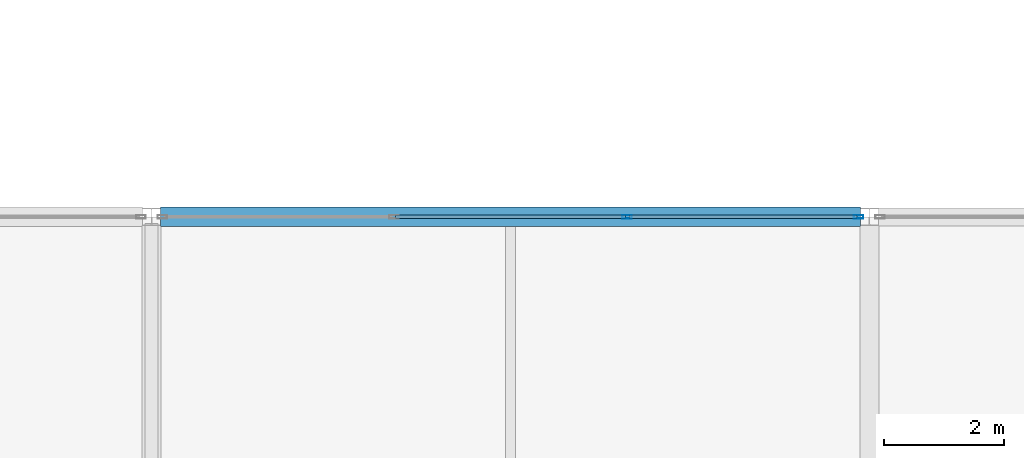
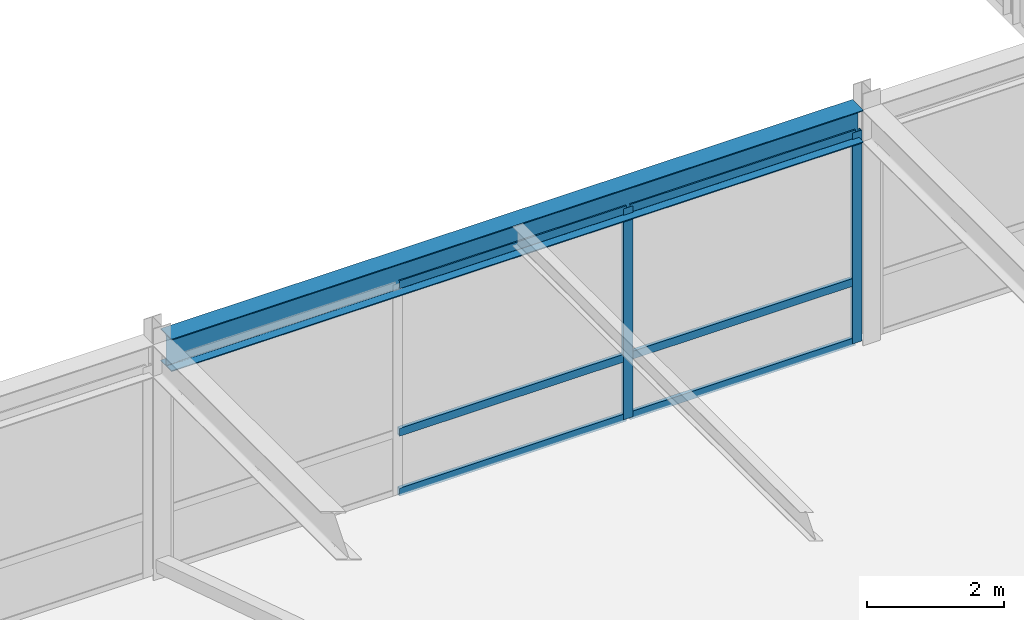
# One storey, part 80 of 108: 8 members, 1 beam, 1 element without a shape of its own.
"""IFC4 building model written with IfcOpenShell, lengths in metres."""

from ifc_helpers import new_model, si_unit, direction, frame, origin, origin_2d, place, context, subcontext, project, spatial, hollow_rectangle, i_section, extrude, material, layer, layer_set, material_profile, profile_set, type_object, element, aggregate, save


model = new_model("IFC4")

# Units and contexts
model_context = context("Model", 3, precision=1e-05, world=origin(), true_north=direction((0.0, 1.0)))
body_context = subcontext(model_context, "Body", "Model", "MODEL_VIEW")
ifc_project = project(units=[si_unit("LENGTHUNIT", "METRE"), si_unit("AREAUNIT", "SQUARE_METRE"), si_unit("VOLUMEUNIT", "CUBIC_METRE"), si_unit("PLANEANGLEUNIT", "RADIAN"), si_unit("MASSUNIT", "GRAM", prefix="KILO")], contexts=[model_context])

# Site, building, storey
site_placement = place(None, origin())
site = spatial("IfcSite", under=ifc_project, at=site_placement, CompositionType="ELEMENT")
building_placement = place(site_placement, origin())
building = spatial("IfcBuilding", under=site, at=building_placement, Name="Zlatovratsky Civic Hall", CompositionType="ELEMENT")
storey_placement = place(building_placement, frame((0.0, 0.0, 12.0)))
storey = spatial("IfcBuildingStorey", under=building, at=storey_placement, Name="L03", CompositionType="ELEMENT", Elevation=12.0)

# Beam
ifc_material_1 = material(Name="Steel S355", Category="steel")
ifc_material_profile_1 = material_profile(ifc_material_1, i_section(OverallWidth=0.320068359375, OverallDepth=0.58203125, WebThickness=0.011962890625, FlangeThickness=0.01708984375, FilletRadius=0.02392578125, at=origin_2d()), Name="60Sh1")
ifc_profile_set_1 = profile_set([ifc_material_profile_1], Name="Steel S355")
beam_type = type_object("IfcBeamType", Name="Beam_PodiumGirder_60Sh1", PredefinedType="BEAM", material=ifc_profile_set_1)
beam_placement = place(storey_placement, frame((132.1494140625, 30.0, 3.928955078125), z_axis=(1.0, 0.0, 0.0), x_axis=(0.0, 1.0, 0.0)))
element("IfcBeam", 1, at=beam_placement, inside=storey, type_object=beam_type, Name="BM-2539", PredefinedType="BEAM", context=body_context, shape_type="SweptSolid", body=[
    extrude(i_section(OverallWidth=0.320068359375, OverallDepth=0.58203125, WebThickness=0.011962890625, FlangeThickness=0.01708984375, FilletRadius=0.02392578125, at=origin_2d()), origin(), (0.0, 0.0, 1.0), 11.701171875),
])

# Curtain wall, members
ifc_material_2 = material(Name="Anodised bronze aluminium", Category="aluminium")
ifc_layer = layer(ifc_material_2, 0.159912109375)
ifc_layer_set = layer_set([ifc_layer], Name="Anodised bronze aluminium")
curtain_wall_type = type_object("IfcCurtainWallType", Name="CurtainWall_Bronze_11700x3770_11", PredefinedType="NOTDEFINED", material=ifc_layer_set)
curtain_wall_placement = place(storey_placement, origin())
curtain_wall = element("IfcCurtainWall", 2, at=curtain_wall_placement, inside=storey, type_object=curtain_wall_type, Name="CW-070", PredefinedType="NOTDEFINED")
ifc_material_profile_2 = material_profile(ifc_material_2, hollow_rectangle(XDim=0.06005859375, YDim=0.159912109375, WallThickness=0.00390625, at=origin_2d()), Name="ALU 60x160x4")
ifc_profile_set_2 = profile_set([ifc_material_profile_2], Name="Anodised bronze aluminium")
member_type_1 = type_object("IfcMemberType", Name="CW_Mullion_60x160", PredefinedType="MULLION", material=ifc_profile_set_2)
member_1_placement = place(storey_placement, frame((139.9501953125, 30.0, 0.0), z_axis=(0.0, 0.0, 1.0), x_axis=(0.0, 1.0, 0.0)))
member_1 = element("IfcMember", 3, at=member_1_placement, type_object=member_type_1, Name="CW-11 mullion 3", PredefinedType="MULLION", context=body_context, shape_type="SweptSolid", body=[
    extrude(hollow_rectangle(XDim=0.06005859375, YDim=0.159912109375, WallThickness=0.00390625, at=origin_2d()), origin(), (0.0, 0.0, 1.0), 3.77001953125),
])
member_2_placement = place(storey_placement, frame((143.820556640625, 30.0, 0.0), z_axis=(0.0, 0.0, 1.0), x_axis=(0.0, 1.0, 0.0)))
member_2 = element("IfcMember", 4, at=member_2_placement, type_object=member_type_1, Name="CW-11 mullion 4", PredefinedType="MULLION", context=body_context, shape_type="SweptSolid", body=[
    extrude(hollow_rectangle(XDim=0.06005859375, YDim=0.159912109375, WallThickness=0.00390625, at=origin_2d()), origin(), (0.0, 0.0, 1.0), 3.77001953125),
])
ifc_material_profile_3 = material_profile(ifc_material_2, hollow_rectangle(XDim=0.06005859375, YDim=0.139892578125, WallThickness=0.00390625, at=origin_2d()), Name="ALU 60x140x4")
ifc_profile_set_3 = profile_set([ifc_material_profile_3], Name="Anodised bronze aluminium")
member_type_2 = type_object("IfcMemberType", Name="CW_Transom_60x140", PredefinedType="USERDEFINED", material=ifc_profile_set_3)
member_3_placement = place(storey_placement, frame((136.079833984375, 30.0, 0.030029296875), z_axis=(1.0, 0.0, 0.0), x_axis=(0.0, 1.0, 0.0)))
member_3 = element("IfcMember", 5, at=member_3_placement, type_object=member_type_2, Name="CW-11 transom 2.1", ObjectType="TRANSOM", PredefinedType="USERDEFINED", context=body_context, shape_type="SweptSolid", body=[
    extrude(hollow_rectangle(XDim=0.06005859375, YDim=0.139892578125, WallThickness=0.00390625, at=origin_2d()), origin(), (0.0, 0.0, 1.0), 3.84033203125),
])
member_4_placement = place(storey_placement, frame((136.079833984375, 30.0, 1.10009765625), z_axis=(1.0, 0.0, 0.0), x_axis=(0.0, 1.0, 0.0)))
member_4 = element("IfcMember", 6, at=member_4_placement, type_object=member_type_2, Name="CW-11 transom 2.2", ObjectType="TRANSOM", PredefinedType="USERDEFINED", context=body_context, shape_type="SweptSolid", body=[
    extrude(hollow_rectangle(XDim=0.06005859375, YDim=0.139892578125, WallThickness=0.00390625, at=origin_2d()), origin(), (0.0, 0.0, 1.0), 3.84033203125),
])
member_5_placement = place(storey_placement, frame((136.079833984375, 30.0, 3.739990234375), z_axis=(1.0, 0.0, 0.0), x_axis=(0.0, 1.0, 0.0)))
member_5 = element("IfcMember", 7, at=member_5_placement, type_object=member_type_2, Name="CW-11 transom 2.3", ObjectType="TRANSOM", PredefinedType="USERDEFINED", context=body_context, shape_type="SweptSolid", body=[
    extrude(hollow_rectangle(XDim=0.06005859375, YDim=0.139892578125, WallThickness=0.00390625, at=origin_2d()), origin(), (0.0, 0.0, 1.0), 3.84033203125),
])
member_6_placement = place(storey_placement, frame((139.980224609375, 30.0, 0.030029296875), z_axis=(1.0, 0.0, 0.0), x_axis=(0.0, 1.0, 0.0)))
member_6 = element("IfcMember", 8, at=member_6_placement, type_object=member_type_2, Name="CW-11 transom 3.1", ObjectType="TRANSOM", PredefinedType="USERDEFINED", context=body_context, shape_type="SweptSolid", body=[
    extrude(hollow_rectangle(XDim=0.06005859375, YDim=0.139892578125, WallThickness=0.00390625, at=origin_2d()), origin(), (0.0, 0.0, 1.0), 3.810302734375),
])
member_7_placement = place(storey_placement, frame((139.980224609375, 30.0, 1.10009765625), z_axis=(1.0, 0.0, 0.0), x_axis=(0.0, 1.0, 0.0)))
member_7 = element("IfcMember", 9, at=member_7_placement, type_object=member_type_2, Name="CW-11 transom 3.2", ObjectType="TRANSOM", PredefinedType="USERDEFINED", context=body_context, shape_type="SweptSolid", body=[
    extrude(hollow_rectangle(XDim=0.06005859375, YDim=0.139892578125, WallThickness=0.00390625, at=origin_2d()), origin(), (0.0, 0.0, 1.0), 3.810302734375),
])
member_8_placement = place(storey_placement, frame((139.980224609375, 30.0, 3.739990234375), z_axis=(1.0, 0.0, 0.0), x_axis=(0.0, 1.0, 0.0)))
member_8 = element("IfcMember", 10, at=member_8_placement, type_object=member_type_2, Name="CW-11 transom 3.3", ObjectType="TRANSOM", PredefinedType="USERDEFINED", context=body_context, shape_type="SweptSolid", body=[
    extrude(hollow_rectangle(XDim=0.06005859375, YDim=0.139892578125, WallThickness=0.00390625, at=origin_2d()), origin(), (0.0, 0.0, 1.0), 3.810302734375),
])
aggregate(curtain_wall, [member_1, member_2, member_3, member_4, member_5, member_6, member_7, member_8])

save(model, "model.ifc")
